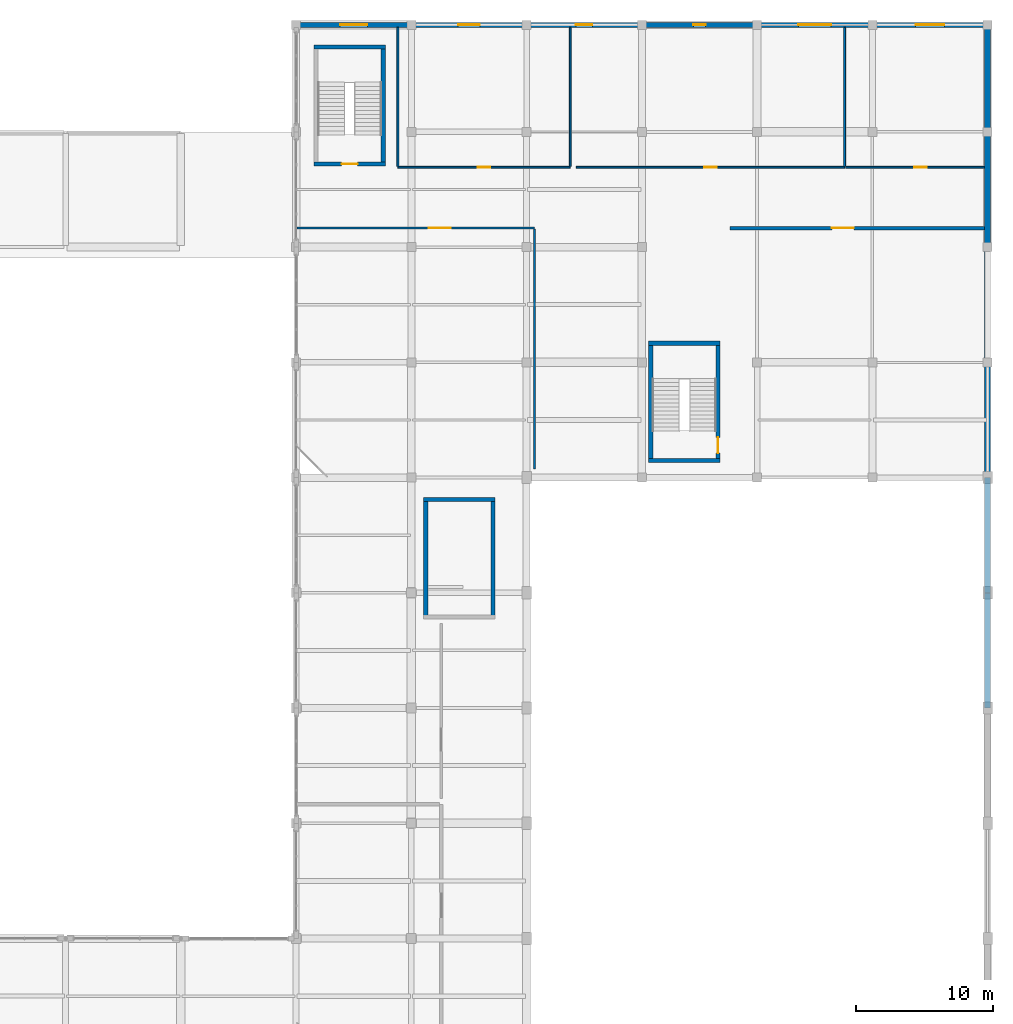
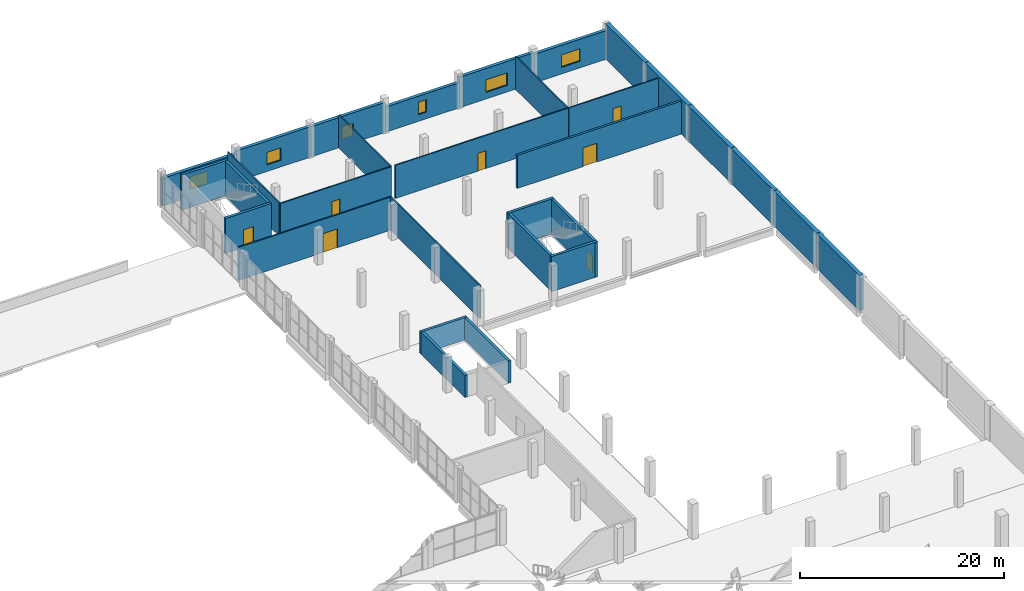
# One storey, part 54 of 59: 31 walls, 7 doors, 6 windows, 13 openings.
"""IFC4 building model written with IfcOpenShell, lengths in metres."""

from ifc_helpers import new_model, si_unit, derived_unit, direction, frame, frame_2d, origin, place, context, subcontext, project, spatial, rectangle, extrude, material, layer, layer_set, type_object, element, fill, save


model = new_model("IFC4")

# Units and contexts
model_context = context("Model", 3, precision=1e-05, world=origin(), true_north=direction((0.0, 1.0)))
body_context = subcontext(model_context, "Body", "Model", "MODEL_VIEW")
ifc_project = project(units=[si_unit("LENGTHUNIT", "METRE"), si_unit("AREAUNIT", "SQUARE_METRE"), si_unit("VOLUMEUNIT", "CUBIC_METRE"), si_unit("PLANEANGLEUNIT", "RADIAN"), si_unit("MASSUNIT", "GRAM", prefix="KILO"), derived_unit("THERMALTRANSMITTANCEUNIT", [(si_unit("POWERUNIT", "WATT"), 1), (si_unit("LENGTHUNIT", "METRE"), -2), (si_unit("THERMODYNAMICTEMPERATUREUNIT", "KELVIN"), -1)])], contexts=[model_context])

# Site, building, storey
site_placement = place(None, origin())
site = spatial("IfcSite", under=ifc_project, at=site_placement, CompositionType="ELEMENT")
building_placement = place(site_placement, origin())
building = spatial("IfcBuilding", under=site, at=building_placement, Name="Barrovel Congress Hotel", CompositionType="ELEMENT")
storey_placement = place(building_placement, frame((0.0, 0.0, 9.89990234375)))
storey = spatial("IfcBuildingStorey", under=building, at=storey_placement, Name="L02", CompositionType="ELEMENT", Elevation=9.89990234375)

# Wall, opening, window
ifc_material_1 = material(Name="Fired Clay Brick Masonry", Category="masonry")
ifc_layer_1 = layer(ifc_material_1, 0.360107421875)
ifc_layer_set_1 = layer_set([ifc_layer_1], Name="Fired Clay Brick Masonry")
wall_type_1 = type_object("IfcWallType", Name="EW-BRK360", PredefinedType="STANDARD", material=ifc_layer_set_1)
wall_1_placement = place(storey_placement, frame((176.39990234375, 112.800048828125, 0.0), z_axis=(0.0, 0.0, 1.0), x_axis=(-1.0, 0.0, 0.0)))
wall_1 = element("IfcWall", 1, at=wall_1_placement, inside=storey, type_object=wall_type_1, Name="EW:L02:V3N:20", PredefinedType="STANDARD", context=body_context, shape_type="SweptSolid", body=[
    extrude(rectangle(XDim=8.39990234375, YDim=0.360107421875, at=frame_2d((4.199951171875, 0.0))), origin(), (0.0, 0.0, 1.0), 3.427001953125),
])
opening_1_placement = place(wall_1_placement, frame((3.14990234375, 0.0, 0.800048828125)))
opening_1 = element("IfcOpeningElement", 2, at=opening_1_placement, cuts=wall_1, Name="Opening WN-09", PredefinedType="OPENING", context=body_context, shape_type="SweptSolid", body=[
    extrude(rectangle(XDim=2.10009765625, YDim=1.5, at=frame_2d((1.050048828125, 0.75))), frame((0.0, 0.18994140625, 0.0), z_axis=(0.0, -1.0, 0.0), x_axis=(1.0, 0.0, 0.0)), (0.0, 0.0, 1.0), 0.380126953125),
])
ifc_material_2 = material(Name="Double Low-E Insulated Glazing", Category="glass")
window_type_1 = type_object("IfcWindowType", Name="WIN-WN-09", PartitioningType="SINGLE_PANEL", PredefinedType="WINDOW", material=ifc_material_2)
window_1_placement = place(opening_1_placement, origin())
window_1 = element("IfcWindow", 3, at=window_1_placement, inside=storey, type_object=window_type_1, Name="WIN:L02:V3N:20", OverallHeight=1.5, OverallWidth=2.10009765625, PartitioningType="SINGLE_PANEL", PredefinedType="WINDOW", context=body_context, shape_type="SweptSolid", body=[
    extrude(rectangle(XDim=2.10009765625, YDim=1.5, at=frame_2d((1.050048828125, 0.75))), frame((0.0, 0.030029296875, 0.0), z_axis=(0.0, -1.0, 0.0), x_axis=(1.0, 0.0, 0.0)), (0.0, 0.0, 1.0), 0.06005859375),
])
fill(opening_1, window_1)

wall_2_placement = place(storey_placement, frame((168.0, 112.800048828125, 0.0), z_axis=(0.0, 0.0, 1.0), x_axis=(-1.0, 0.0, 0.0)))
wall_2 = element("IfcWall", 4, at=wall_2_placement, inside=storey, type_object=wall_type_1, Name="EW:L02:V3N:19", PredefinedType="STANDARD", context=body_context, shape_type="SweptSolid", body=[
    extrude(rectangle(XDim=8.39990234375, YDim=0.360107421875, at=frame_2d((4.199951171875, 0.0))), origin(), (0.0, 0.0, 1.0), 3.650146484375),
])
opening_2_placement = place(wall_2_placement, frame((3.0, 0.0, 0.800048828125)))
opening_2 = element("IfcOpeningElement", 5, at=opening_2_placement, cuts=wall_2, Name="Opening WN-10", PredefinedType="OPENING", context=body_context, shape_type="SweptSolid", body=[
    extrude(rectangle(XDim=2.39990234375, YDim=1.5, at=frame_2d((1.199951171875, 0.75))), frame((0.0, 0.18994140625, 0.0), z_axis=(0.0, -1.0, 0.0), x_axis=(1.0, 0.0, 0.0)), (0.0, 0.0, 1.0), 0.380126953125),
])
window_type_2 = type_object("IfcWindowType", Name="WIN-WN-10", PartitioningType="SINGLE_PANEL", PredefinedType="WINDOW", material=ifc_material_2)
window_2_placement = place(opening_2_placement, origin())
window_2 = element("IfcWindow", 6, at=window_2_placement, inside=storey, type_object=window_type_2, Name="WIN:L02:V3N:19", OverallHeight=1.5, OverallWidth=2.39990234375, PartitioningType="SINGLE_PANEL", PredefinedType="WINDOW", context=body_context, shape_type="SweptSolid", body=[
    extrude(rectangle(XDim=2.39990234375, YDim=1.5, at=frame_2d((1.199951171875, 0.75))), frame((0.0, 0.030029296875, 0.0), z_axis=(0.0, -1.0, 0.0), x_axis=(1.0, 0.0, 0.0)), (0.0, 0.0, 1.0), 0.06005859375),
])
fill(opening_2, window_2)

wall_3_placement = place(storey_placement, frame((159.60009765625, 112.800048828125, 0.0), z_axis=(0.0, 0.0, 1.0), x_axis=(-1.0, 0.0, 0.0)))
wall_3 = element("IfcWall", 7, at=wall_3_placement, inside=storey, type_object=wall_type_1, Name="EW:L02:V3N:18", PredefinedType="STANDARD", context=body_context, shape_type="SweptSolid", body=[
    extrude(rectangle(XDim=8.400146484375, YDim=0.360107421875, at=frame_2d((4.2001953125, 0.0))), origin(), (0.0, 0.0, 1.0), 3.010009765625),
])
opening_3_placement = place(wall_3_placement, frame((3.75, 0.0, 0.800048828125)))
opening_3 = element("IfcOpeningElement", 8, at=opening_3_placement, cuts=wall_3, Name="Opening WN-11", PredefinedType="OPENING", context=body_context, shape_type="SweptSolid", body=[
    extrude(rectangle(XDim=0.89990234375, YDim=1.5, at=frame_2d((0.449951171875, 0.75))), frame((0.0, 0.18994140625, 0.0), z_axis=(0.0, -1.0, 0.0), x_axis=(1.0, 0.0, 0.0)), (0.0, 0.0, 1.0), 0.380126953125),
])
window_type_3 = type_object("IfcWindowType", Name="WIN-WN-11", PartitioningType="SINGLE_PANEL", PredefinedType="WINDOW", material=ifc_material_2)
window_3_placement = place(opening_3_placement, origin())
window_3 = element("IfcWindow", 9, at=window_3_placement, inside=storey, type_object=window_type_3, Name="WIN:L02:V3N:18", OverallHeight=1.5, OverallWidth=0.89990234375, PartitioningType="SINGLE_PANEL", PredefinedType="WINDOW", context=body_context, shape_type="SweptSolid", body=[
    extrude(rectangle(XDim=0.89990234375, YDim=1.5, at=frame_2d((0.449951171875, 0.75))), frame((0.0, 0.030029296875, 0.0), z_axis=(0.0, -1.0, 0.0), x_axis=(1.0, 0.0, 0.0)), (0.0, 0.0, 1.0), 0.06005859375),
])
fill(opening_3, window_3)

wall_4_placement = place(storey_placement, frame((151.199951171875, 112.800048828125, 0.0), z_axis=(0.0, 0.0, 1.0), x_axis=(-1.0, 0.0, 0.0)))
wall_4 = element("IfcWall", 10, at=wall_4_placement, inside=storey, type_object=wall_type_1, Name="EW:L02:V3N:17", PredefinedType="STANDARD", context=body_context, shape_type="SweptSolid", body=[
    extrude(rectangle(XDim=8.39990234375, YDim=0.360107421875, at=frame_2d((4.199951171875, 0.0))), origin(), (0.0, 0.0, 1.0), 3.606201171875),
])
opening_4_placement = place(wall_4_placement, frame((3.60009765625, 0.0, 0.800048828125)))
opening_4 = element("IfcOpeningElement", 11, at=opening_4_placement, cuts=wall_4, Name="Opening WN-12", PredefinedType="OPENING", context=body_context, shape_type="SweptSolid", body=[
    extrude(rectangle(XDim=1.199951171875, YDim=1.5, at=frame_2d((0.60009765625, 0.75))), frame((0.0, 0.18994140625, 0.0), z_axis=(0.0, -1.0, 0.0), x_axis=(1.0, 0.0, 0.0)), (0.0, 0.0, 1.0), 0.380126953125),
])
window_type_4 = type_object("IfcWindowType", Name="WIN-WN-12", PartitioningType="SINGLE_PANEL", PredefinedType="WINDOW", material=ifc_material_2)
window_4_placement = place(opening_4_placement, origin())
window_4 = element("IfcWindow", 12, at=window_4_placement, inside=storey, type_object=window_type_4, Name="WIN:L02:V3N:17", OverallHeight=1.5, OverallWidth=1.199951171875, PartitioningType="SINGLE_PANEL", PredefinedType="WINDOW", context=body_context, shape_type="SweptSolid", body=[
    extrude(rectangle(XDim=1.199951171875, YDim=1.5, at=frame_2d((0.60009765625, 0.75))), frame((0.0, 0.030029296875, 0.0), z_axis=(0.0, -1.0, 0.0), x_axis=(1.0, 0.0, 0.0)), (0.0, 0.0, 1.0), 0.06005859375),
])
fill(opening_4, window_4)

wall_5_placement = place(storey_placement, frame((142.800048828125, 112.800048828125, 0.0), z_axis=(0.0, 0.0, 1.0), x_axis=(-1.0, 0.0, 0.0)))
wall_5 = element("IfcWall", 13, at=wall_5_placement, inside=storey, type_object=wall_type_1, Name="EW:L02:V3N:16", PredefinedType="STANDARD", context=body_context, shape_type="SweptSolid", body=[
    extrude(rectangle(XDim=8.400146484375, YDim=0.360107421875, at=frame_2d((4.2001953125, 0.0))), origin(), (0.0, 0.0, 1.0), 3.6552734375),
])
opening_5_placement = place(wall_5_placement, frame((3.39990234375, 0.0, 0.800048828125)))
opening_5 = element("IfcOpeningElement", 14, at=opening_5_placement, cuts=wall_5, Name="Opening WN-13", PredefinedType="OPENING", context=body_context, shape_type="SweptSolid", body=[
    extrude(rectangle(XDim=1.60009765625, YDim=1.5, at=frame_2d((0.800048828125, 0.75))), frame((0.0, 0.18994140625, 0.0), z_axis=(0.0, -1.0, 0.0), x_axis=(1.0, 0.0, 0.0)), (0.0, 0.0, 1.0), 0.380126953125),
])
window_type_5 = type_object("IfcWindowType", Name="WIN-WN-13", PartitioningType="SINGLE_PANEL", PredefinedType="WINDOW", material=ifc_material_2)
window_5_placement = place(opening_5_placement, origin())
window_5 = element("IfcWindow", 15, at=window_5_placement, inside=storey, type_object=window_type_5, Name="WIN:L02:V3N:16", OverallHeight=1.5, OverallWidth=1.60009765625, PartitioningType="SINGLE_PANEL", PredefinedType="WINDOW", context=body_context, shape_type="SweptSolid", body=[
    extrude(rectangle(XDim=1.60009765625, YDim=1.5, at=frame_2d((0.800048828125, 0.75))), frame((0.0, 0.030029296875, 0.0), z_axis=(0.0, -1.0, 0.0), x_axis=(1.0, 0.0, 0.0)), (0.0, 0.0, 1.0), 0.06005859375),
])
fill(opening_5, window_5)

wall_6_placement = place(storey_placement, frame((134.39990234375, 112.800048828125, 0.0), z_axis=(0.0, 0.0, 1.0), x_axis=(-1.0, 0.0, 0.0)))
wall_6 = element("IfcWall", 16, at=wall_6_placement, inside=storey, type_object=wall_type_1, Name="EW:L02:V3N:15", PredefinedType="STANDARD", context=body_context, shape_type="SweptSolid", body=[
    extrude(rectangle(XDim=8.39990234375, YDim=0.360107421875, at=frame_2d((4.199951171875, 0.0))), origin(), (0.0, 0.0, 1.0), 3.31005859375),
])
opening_6_placement = place(wall_6_placement, frame((3.199951171875, 0.0, 0.800048828125)))
opening_6 = element("IfcOpeningElement", 17, at=opening_6_placement, cuts=wall_6, Name="Opening WN-14", PredefinedType="OPENING", context=body_context, shape_type="SweptSolid", body=[
    extrude(rectangle(XDim=2.0, YDim=1.5, at=frame_2d((1.0, 0.75))), frame((0.0, 0.18994140625, 0.0), z_axis=(0.0, -1.0, 0.0), x_axis=(1.0, 0.0, 0.0)), (0.0, 0.0, 1.0), 0.380126953125),
])
window_type_6 = type_object("IfcWindowType", Name="WIN-WN-14", PartitioningType="SINGLE_PANEL", PredefinedType="WINDOW", material=ifc_material_2)
window_6_placement = place(opening_6_placement, origin())
window_6 = element("IfcWindow", 18, at=window_6_placement, inside=storey, type_object=window_type_6, Name="WIN:L02:V3N:15", OverallHeight=1.5, OverallWidth=2.0, PartitioningType="SINGLE_PANEL", PredefinedType="WINDOW", context=body_context, shape_type="SweptSolid", body=[
    extrude(rectangle(XDim=2.0, YDim=1.5, at=frame_2d((1.0, 0.75))), frame((0.0, 0.030029296875, 0.0), z_axis=(0.0, -1.0, 0.0), x_axis=(1.0, 0.0, 0.0)), (0.0, 0.0, 1.0), 0.06005859375),
])
fill(opening_6, window_6)

# Walls
ifc_layer_2 = layer(ifc_material_1, 0.449951171875)
ifc_layer_set_2 = layer_set([ifc_layer_2], Name="Fired Clay Brick Masonry")
wall_type_2 = type_object("IfcWallType", Name="EW-PW450", PredefinedType="STANDARD", material=ifc_layer_set_2)
wall_7_placement = place(storey_placement, frame((176.39990234375, 63.0, 0.0), z_axis=(0.0, 0.0, 1.0), x_axis=(0.0, 1.0, 0.0)))
element("IfcWall", 19, at=wall_7_placement, inside=storey, type_object=wall_type_2, Name="EW:L02:PARTY:63.0", PredefinedType="STANDARD", context=body_context, shape_type="SweptSolid", body=[
    extrude(rectangle(XDim=8.39990234375, YDim=0.449951171875, at=frame_2d((4.199951171875, 0.0))), origin(), (0.0, 0.0, 1.0), 4.2001953125),
])
wall_8_placement = place(storey_placement, frame((176.39990234375, 71.39990234375, 0.0), z_axis=(0.0, 0.0, 1.0), x_axis=(0.0, 1.0, 0.0)))
element("IfcWall", 20, at=wall_8_placement, inside=storey, type_object=wall_type_2, Name="EW:L02:PARTY:71.4", PredefinedType="STANDARD", context=body_context, shape_type="SweptSolid", body=[
    extrude(rectangle(XDim=8.400146484375, YDim=0.449951171875, at=frame_2d((4.2001953125, 0.0))), origin(), (0.0, 0.0, 1.0), 4.2001953125),
])
wall_9_placement = place(storey_placement, frame((176.39990234375, 79.800048828125, 0.0), z_axis=(0.0, 0.0, 1.0), x_axis=(0.0, 1.0, 0.0)))
element("IfcWall", 21, at=wall_9_placement, inside=storey, type_object=wall_type_2, Name="EW:L02:PARTY:79.8", PredefinedType="STANDARD", context=body_context, shape_type="SweptSolid", body=[
    extrude(rectangle(XDim=8.39990234375, YDim=0.449951171875, at=frame_2d((4.199951171875, 0.0))), origin(), (0.0, 0.0, 1.0), 4.2001953125),
])
wall_10_placement = place(storey_placement, frame((176.39990234375, 88.199951171875, 0.0), z_axis=(0.0, 0.0, 1.0), x_axis=(0.0, 1.0, 0.0)))
element("IfcWall", 22, at=wall_10_placement, inside=storey, type_object=wall_type_2, Name="EW:L02:PARTY:88.2", PredefinedType="STANDARD", context=body_context, shape_type="SweptSolid", body=[
    extrude(rectangle(XDim=8.400146484375, YDim=0.449951171875, at=frame_2d((4.2001953125, 0.0))), origin(), (0.0, 0.0, 1.0), 4.2001953125),
])
wall_11_placement = place(storey_placement, frame((176.39990234375, 96.60009765625, 0.0), z_axis=(0.0, 0.0, 1.0), x_axis=(0.0, 1.0, 0.0)))
element("IfcWall", 23, at=wall_11_placement, inside=storey, type_object=wall_type_2, Name="EW:L02:PARTY:96.6", PredefinedType="STANDARD", context=body_context, shape_type="SweptSolid", body=[
    extrude(rectangle(XDim=8.39990234375, YDim=0.449951171875, at=frame_2d((4.199951171875, 0.0))), origin(), (0.0, 0.0, 1.0), 4.2001953125),
])
wall_12_placement = place(storey_placement, frame((176.39990234375, 105.0, 0.0), z_axis=(0.0, 0.0, 1.0), x_axis=(0.0, 1.0, 0.0)))
element("IfcWall", 24, at=wall_12_placement, inside=storey, type_object=wall_type_2, Name="EW:L02:PARTY:105.0", PredefinedType="STANDARD", context=body_context, shape_type="SweptSolid", body=[
    extrude(rectangle(XDim=7.800048828125, YDim=0.449951171875, at=frame_2d((3.89990234375, 0.0))), origin(), (0.0, 0.0, 1.0), 4.2001953125),
])

# Wall, opening, door
ifc_layer_3 = layer(ifc_material_1, 0.239990234375)
ifc_layer_set_3 = layer_set([ifc_layer_3], Name="Fired Clay Brick Masonry")
wall_type_3 = type_object("IfcWallType", Name="PW-MAS-240", PredefinedType="PARTITIONING", material=ifc_layer_set_3)
wall_13_placement = place(storey_placement, frame((157.6201171875, 97.97998046875, 0.0), z_axis=(0.0, 0.0, 1.0), x_axis=(1.0, 0.0, 0.0)))
wall_13 = element("IfcWall", 25, at=wall_13_placement, inside=storey, type_object=wall_type_3, Name="RW:SP:L02:YOGA:N", PredefinedType="PARTITIONING", context=body_context, shape_type="SweptSolid", body=[
    extrude(rectangle(XDim=18.554931640625, YDim=0.239990234375, at=frame_2d((9.27734375, 0.0))), origin(), (0.0, 0.0, 1.0), 3.955078125),
])
opening_7_placement = place(wall_13_placement, frame((7.427490234375, 0.0, 0.0)))
opening_7 = element("IfcOpeningElement", 26, at=opening_7_placement, cuts=wall_13, Name="Opening ID-MTG", PredefinedType="OPENING", context=body_context, shape_type="SweptSolid", body=[
    extrude(rectangle(XDim=1.60009765625, YDim=2.25, at=frame_2d((0.800048828125, 1.125))), frame((0.0, 0.1298828125, 0.0), z_axis=(0.0, -1.0, 0.0), x_axis=(1.0, 0.0, 0.0)), (0.0, 0.0, 1.0), 0.260009765625),
])
ifc_material_3 = material(Name="Solid Oak Acoustic Timber Door", Category="wood")
door_type_1 = type_object("IfcDoorType", Name="IDR-ID-MTG", OperationType="NOTDEFINED", PredefinedType="DOOR", material=ifc_material_3)
door_1_placement = place(opening_7_placement, origin())
door_1 = element("IfcDoor", 27, at=door_1_placement, inside=storey, type_object=door_type_1, Name="RD:SP:L02:YOGA", OperationType="DOUBLE_DOOR_SINGLE_SWING", OverallHeight=2.25, OverallWidth=1.60009765625, PredefinedType="DOOR", context=body_context, shape_type="SweptSolid", body=[
    extrude(rectangle(XDim=1.60009765625, YDim=2.25, at=frame_2d((0.800048828125, 1.125))), frame((0.0, 0.02490234375, 0.0), z_axis=(0.0, -1.0, 0.0), x_axis=(1.0, 0.0, 0.0)), (0.0, 0.0, 1.0), 0.050048828125),
])
fill(opening_7, door_1)

ifc_material_4 = material(Name="Gypsum Acoustic Stud", Category="gypsum")
ifc_layer_4 = layer(ifc_material_4, 0.14990234375)
ifc_layer_set_4 = layer_set([ifc_layer_4], Name="Gypsum Acoustic Stud")
wall_type_4 = type_object("IfcWallType", Name="PW-STD-150", PredefinedType="PARTITIONING", material=ifc_layer_set_4)
wall_14_placement = place(storey_placement, frame((126.080078125, 97.97998046875, 0.0), z_axis=(0.0, 0.0, 1.0), x_axis=(1.0, 0.0, 0.0)))
wall_14 = element("IfcWall", 28, at=wall_14_placement, inside=storey, type_object=wall_type_4, Name="RW:SP:L02:FIT:N", PredefinedType="PARTITIONING", context=body_context, shape_type="SweptSolid", body=[
    extrude(rectangle(XDim=17.2998046875, YDim=0.14990234375, at=frame_2d((8.64990234375, 0.0))), origin(), (0.0, 0.0, 1.0), 3.955078125),
])
opening_8_placement = place(wall_14_placement, frame((9.60009765625, 0.0, 0.0)))
opening_8 = element("IfcOpeningElement", 29, at=opening_8_placement, cuts=wall_14, Name="Opening ID-MTG", PredefinedType="OPENING", context=body_context, shape_type="SweptSolid", body=[
    extrude(rectangle(XDim=1.60009765625, YDim=2.25, at=frame_2d((0.800048828125, 1.125))), frame((0.0, 0.0849609375, 0.0), z_axis=(0.0, -1.0, 0.0), x_axis=(1.0, 0.0, 0.0)), (0.0, 0.0, 1.0), 0.169921875),
])
door_2_placement = place(opening_8_placement, origin())
door_2 = element("IfcDoor", 30, at=door_2_placement, inside=storey, type_object=door_type_1, Name="RD:SP:L02:FIT", OperationType="DOUBLE_DOOR_SINGLE_SWING", OverallHeight=2.25, OverallWidth=1.60009765625, PredefinedType="DOOR", context=body_context, shape_type="SweptSolid", body=[
    extrude(rectangle(XDim=1.60009765625, YDim=2.25, at=frame_2d((0.800048828125, 1.125))), frame((0.0, 0.02490234375, 0.0), z_axis=(0.0, -1.0, 0.0), x_axis=(1.0, 0.0, 0.0)), (0.0, 0.0, 1.0), 0.050048828125),
])
fill(opening_8, door_2)

# Wall
wall_15_placement = place(storey_placement, frame((143.3798828125, 80.419921875, 0.0), z_axis=(0.0, 0.0, 1.0), x_axis=(0.0, 1.0, 0.0)))
element("IfcWall", 31, at=wall_15_placement, inside=storey, type_object=wall_type_4, Name="RW:SP:L02:FIT:E", PredefinedType="PARTITIONING", context=body_context, shape_type="SweptSolid", body=[
    extrude(rectangle(XDim=17.485107421875, YDim=0.14990234375, at=frame_2d((8.74267578125, 0.0))), origin(), (0.0, 0.0, 1.0), 3.955078125),
])

# Wall, opening, door
ifc_material_5 = material(Name="Gypsum Moisture Board", Category="gypsum")
ifc_layer_5 = layer(ifc_material_5, 0.139892578125)
ifc_layer_set_5 = layer_set([ifc_layer_5], Name="Gypsum Moisture Board")
wall_type_5 = type_object("IfcWallType", Name="PW-WET-140", PredefinedType="PARTITIONING", material=ifc_layer_set_5)
wall_16_placement = place(storey_placement, frame((133.419921875, 102.419921875, 0.0), z_axis=(0.0, 0.0, 1.0), x_axis=(1.0, 0.0, 0.0)))
wall_16 = element("IfcWall", 32, at=wall_16_placement, inside=storey, type_object=wall_type_5, Name="RW:SP:L02:CHG-M:S", PredefinedType="PARTITIONING", context=body_context, shape_type="SweptSolid", body=[
    extrude(rectangle(XDim=12.56005859375, YDim=0.139892578125, at=frame_2d((6.280029296875, 0.0))), origin(), (0.0, 0.0, 1.0), 3.955078125),
])
opening_9_placement = place(wall_16_placement, frame((5.830078125, 0.0, 0.0)))
opening_9 = element("IfcOpeningElement", 33, at=opening_9_placement, cuts=wall_16, Name="Opening ID-WC1", PredefinedType="OPENING", context=body_context, shape_type="SweptSolid", body=[
    extrude(rectangle(XDim=0.89990234375, YDim=2.1201171875, at=frame_2d((0.449951171875, 1.06005859375))), frame((0.0, 0.080078125, 0.0), z_axis=(0.0, -1.0, 0.0), x_axis=(1.0, 0.0, 0.0)), (0.0, 0.0, 1.0), 0.159912109375),
])
ifc_material_6 = material(Name="Lacquered Timber Moisture Door", Category="wood")
door_type_2 = type_object("IfcDoorType", Name="IDR-ID-WC1", OperationType="NOTDEFINED", PredefinedType="DOOR", material=ifc_material_6)
door_3_placement = place(opening_9_placement, origin())
door_3 = element("IfcDoor", 34, at=door_3_placement, inside=storey, type_object=door_type_2, Name="RD:SP:L02:CHG-M", OperationType="SINGLE_SWING_RIGHT", OverallHeight=2.1201171875, OverallWidth=0.89990234375, PredefinedType="DOOR", context=body_context, shape_type="SweptSolid", body=[
    extrude(rectangle(XDim=0.89990234375, YDim=2.1201171875, at=frame_2d((0.449951171875, 1.06005859375))), frame((0.0, 0.02490234375, 0.0), z_axis=(0.0, -1.0, 0.0), x_axis=(1.0, 0.0, 0.0)), (0.0, 0.0, 1.0), 0.050048828125),
])
fill(opening_9, door_3)

# Walls
for number, where, z_axis, x_axis, name in (
    (35, (133.419921875, 102.489990234375, 0.0), (0.0, 0.0, 1.0), (0.0, 1.0, 0.0), "RW:SP:L02:CHG-M:W"),
    (36, (145.97998046875, 102.489990234375, 0.0), (0.0, 0.0, 1.0), (0.0, 1.0, 0.0), "RW:SP:L02:CHG-M:E"),
):
    element("IfcWall", number, at=place(storey_placement, frame(where, z_axis=z_axis, x_axis=x_axis)), inside=storey, type_object=wall_type_5, Name=name, PredefinedType="PARTITIONING", context=body_context, shape_type="SweptSolid", body=[
        extrude(rectangle(XDim=10.130126953125, YDim=0.139892578125, at=frame_2d((5.06494140625, 0.0))), origin(), (0.0, 0.0, 1.0), 3.955078125),
    ])

# Wall, opening, door
wall_17_placement = place(storey_placement, frame((146.419921875, 102.419921875, 0.0), z_axis=(0.0, 0.0, 1.0), x_axis=(1.0, 0.0, 0.0)))
wall_17 = element("IfcWall", 37, at=wall_17_placement, inside=storey, type_object=wall_type_5, Name="RW:SP:L02:CHG-F:S", PredefinedType="PARTITIONING", context=body_context, shape_type="SweptSolid", body=[
    extrude(rectangle(XDim=19.56005859375, YDim=0.139892578125, at=frame_2d((9.780029296875, 0.0))), origin(), (0.0, 0.0, 1.0), 3.955078125),
])
opening_10_placement = place(wall_17_placement, frame((9.330078125, 0.0, 0.0)))
opening_10 = element("IfcOpeningElement", 38, at=opening_10_placement, cuts=wall_17, Name="Opening ID-WC1", PredefinedType="OPENING", context=body_context, shape_type="SweptSolid", body=[
    extrude(rectangle(XDim=0.89990234375, YDim=2.1201171875, at=frame_2d((0.449951171875, 1.06005859375))), frame((0.0, 0.080078125, 0.0), z_axis=(0.0, -1.0, 0.0), x_axis=(1.0, 0.0, 0.0)), (0.0, 0.0, 1.0), 0.159912109375),
])
door_4_placement = place(opening_10_placement, origin())
door_4 = element("IfcDoor", 39, at=door_4_placement, inside=storey, type_object=door_type_2, Name="RD:SP:L02:CHG-F", OperationType="SINGLE_SWING_LEFT", OverallHeight=2.1201171875, OverallWidth=0.89990234375, PredefinedType="DOOR", context=body_context, shape_type="SweptSolid", body=[
    extrude(rectangle(XDim=0.89990234375, YDim=2.1201171875, at=frame_2d((0.449951171875, 1.06005859375))), frame((0.0, 0.02490234375, 0.0), z_axis=(0.0, -1.0, 0.0), x_axis=(1.0, 0.0, 0.0)), (0.0, 0.0, 1.0), 0.050048828125),
])
fill(opening_10, door_4)

# Wall
wall_18_placement = place(storey_placement, frame((165.97998046875, 102.489990234375, 0.0), z_axis=(0.0, 0.0, 1.0), x_axis=(0.0, 1.0, 0.0)))
element("IfcWall", 40, at=wall_18_placement, inside=storey, type_object=wall_type_5, Name="RW:SP:L02:CHG-F:E", PredefinedType="PARTITIONING", context=body_context, shape_type="SweptSolid", body=[
    extrude(rectangle(XDim=10.130126953125, YDim=0.139892578125, at=frame_2d((5.06494140625, 0.0))), origin(), (0.0, 0.0, 1.0), 3.955078125),
])

# Wall, opening, door
wall_19_placement = place(storey_placement, frame((166.050048828125, 102.419921875, 0.0), z_axis=(0.0, 0.0, 1.0), x_axis=(1.0, 0.0, 0.0)))
wall_19 = element("IfcWall", 41, at=wall_19_placement, inside=storey, type_object=wall_type_5, Name="RW:SP:L02:CHG-A:S", PredefinedType="PARTITIONING", context=body_context, shape_type="SweptSolid", body=[
    extrude(rectangle(XDim=10.125, YDim=0.139892578125, at=frame_2d((5.0625, 0.0))), origin(), (0.0, 0.0, 1.0), 3.955078125),
])
opening_11_placement = place(wall_19_placement, frame((5.0, 0.0, 0.0)))
opening_11 = element("IfcOpeningElement", 42, at=opening_11_placement, cuts=wall_19, Name="Opening ID-WC1", PredefinedType="OPENING", context=body_context, shape_type="SweptSolid", body=[
    extrude(rectangle(XDim=0.89990234375, YDim=2.1201171875, at=frame_2d((0.449951171875, 1.06005859375))), frame((0.0, 0.080078125, 0.0), z_axis=(0.0, -1.0, 0.0), x_axis=(1.0, 0.0, 0.0)), (0.0, 0.0, 1.0), 0.159912109375),
])
door_5_placement = place(opening_11_placement, origin())
door_5 = element("IfcDoor", 43, at=door_5_placement, inside=storey, type_object=door_type_2, Name="RD:SP:L02:CHG-A", OperationType="SINGLE_SWING_RIGHT", OverallHeight=2.1201171875, OverallWidth=0.89990234375, PredefinedType="DOOR", context=body_context, shape_type="SweptSolid", body=[
    extrude(rectangle(XDim=0.89990234375, YDim=2.1201171875, at=frame_2d((0.449951171875, 1.06005859375))), frame((0.0, 0.02490234375, 0.0), z_axis=(0.0, -1.0, 0.0), x_axis=(1.0, 0.0, 0.0)), (0.0, 0.0, 1.0), 0.050048828125),
])
fill(opening_11, door_5)

# Wall
ifc_material_7 = material(Name="Concrete C40", Category="concrete")
ifc_layer_6 = layer(ifc_material_7, 0.300048828125)
ifc_layer_set_6 = layer_set([ifc_layer_6], Name="Concrete C40")
wall_type_6 = type_object("IfcWallType", Name="SW-C40-300", PredefinedType="SHEAR", material=ifc_layer_set_6)
wall_20_placement = place(storey_placement, frame((151.699951171875, 81.050048828125, 0.0), z_axis=(0.0, 0.0, 1.0), x_axis=(1.0, 0.0, 0.0)))
element("IfcWall", 44, at=wall_20_placement, inside=storey, type_object=wall_type_6, Name="SHW:XS-06:L02:S", PredefinedType="SHEAR", context=body_context, shape_type="SweptSolid", body=[
    extrude(rectangle(XDim=5.199951171875, YDim=0.300048828125, at=frame_2d((2.60009765625, 0.0))), origin(), (0.0, 0.0, 1.0), 4.2001953125),
])

# Wall, opening, door
wall_21_placement = place(storey_placement, frame((156.75, 80.89990234375, 0.0), z_axis=(0.0, 0.0, 1.0), x_axis=(0.0, 1.0, 0.0)))
wall_21 = element("IfcWall", 45, at=wall_21_placement, inside=storey, type_object=wall_type_6, Name="SHW:XS-06:L02:E", PredefinedType="SHEAR", context=body_context, shape_type="SweptSolid", body=[
    extrude(rectangle(XDim=8.840087890625, YDim=0.300048828125, at=frame_2d((4.419921875, 0.0))), origin(), (0.0, 0.0, 1.0), 4.2001953125),
])
opening_12_placement = place(wall_21_placement, frame((0.675048828125, 0.0, 0.0)))
opening_12 = element("IfcOpeningElement", 46, at=opening_12_placement, cuts=wall_21, Name="Opening ID-ST1", PredefinedType="OPENING", context=body_context, shape_type="SweptSolid", body=[
    extrude(rectangle(XDim=1.14990234375, YDim=2.14990234375, at=frame_2d((0.574951171875, 1.074951171875))), frame((0.0, 0.16015625, 0.0), z_axis=(0.0, -1.0, 0.0), x_axis=(1.0, 0.0, 0.0)), (0.0, 0.0, 1.0), 0.320068359375),
])
ifc_material_8 = material(Name="Painted Hollow-Metal Steel Door", Category="steel")
door_type_3 = type_object("IfcDoorType", Name="IDR-ID-ST1", OperationType="NOTDEFINED", PredefinedType="DOOR", material=ifc_material_8)
door_6_placement = place(opening_12_placement, origin())
door_6 = element("IfcDoor", 47, at=door_6_placement, inside=storey, type_object=door_type_3, Name="Stair Core Fire Door XS-06-L02", OperationType="SINGLE_SWING_LEFT", OverallHeight=2.14990234375, OverallWidth=1.14990234375, PredefinedType="DOOR", context=body_context, shape_type="SweptSolid", body=[
    extrude(rectangle(XDim=1.14990234375, YDim=2.14990234375, at=frame_2d((0.574951171875, 1.074951171875))), frame((0.0, 0.02490234375, 0.0), z_axis=(0.0, -1.0, 0.0), x_axis=(1.0, 0.0, 0.0)), (0.0, 0.0, 1.0), 0.050048828125),
])
fill(opening_12, door_6)

# Walls
wall_22_placement = place(storey_placement, frame((156.89990234375, 89.590087890625, 0.0), z_axis=(0.0, 0.0, 1.0), x_axis=(-1.0, 0.0, 0.0)))
element("IfcWall", 48, at=wall_22_placement, inside=storey, type_object=wall_type_6, Name="SHW:XS-06:L02:N", PredefinedType="SHEAR", context=body_context, shape_type="SweptSolid", body=[
    extrude(rectangle(XDim=5.199951171875, YDim=0.300048828125, at=frame_2d((2.60009765625, 0.0))), origin(), (0.0, 0.0, 1.0), 4.2001953125),
])
wall_23_placement = place(storey_placement, frame((151.85009765625, 89.739990234375, 0.0), z_axis=(0.0, 0.0, 1.0), x_axis=(0.0, -1.0, 0.0)))
element("IfcWall", 49, at=wall_23_placement, inside=storey, type_object=wall_type_6, Name="SHW:XS-06:L02:W", PredefinedType="SHEAR", context=body_context, shape_type="SweptSolid", body=[
    extrude(rectangle(XDim=8.840087890625, YDim=0.300048828125, at=frame_2d((4.419921875, 0.0))), origin(), (0.0, 0.0, 1.0), 4.2001953125),
])
wall_24_placement = place(storey_placement, frame((140.35009765625, 69.5, 0.0), z_axis=(0.0, 0.0, 1.0), x_axis=(0.0, 1.0, 0.0)))
element("IfcWall", 50, at=wall_24_placement, inside=storey, type_object=wall_type_6, Name="SHW:XS-09:L02:E", PredefinedType="SHEAR", context=body_context, shape_type="SweptSolid", body=[
    extrude(rectangle(XDim=8.840087890625, YDim=0.300048828125, at=frame_2d((4.419921875, 0.0))), origin(), (0.0, 0.0, 1.0), 2.650146484375),
])
wall_25_placement = place(storey_placement, frame((140.5, 78.18994140625, 0.0), z_axis=(0.0, 0.0, 1.0), x_axis=(-1.0, 0.0, 0.0)))
element("IfcWall", 51, at=wall_25_placement, inside=storey, type_object=wall_type_6, Name="SHW:XS-09:L02:N", PredefinedType="SHEAR", context=body_context, shape_type="SweptSolid", body=[
    extrude(rectangle(XDim=5.199951171875, YDim=0.300048828125, at=frame_2d((2.60009765625, 0.0))), origin(), (0.0, 0.0, 1.0), 2.650146484375),
])
wall_26_placement = place(storey_placement, frame((135.449951171875, 78.340087890625, 0.0), z_axis=(0.0, 0.0, 1.0), x_axis=(0.0, -1.0, 0.0)))
element("IfcWall", 52, at=wall_26_placement, inside=storey, type_object=wall_type_6, Name="SHW:XS-09:L02:W", PredefinedType="SHEAR", context=body_context, shape_type="SweptSolid", body=[
    extrude(rectangle(XDim=8.840087890625, YDim=0.300048828125, at=frame_2d((4.419921875, 0.0))), origin(), (0.0, 0.0, 1.0), 2.650146484375),
])

# Wall, opening, door
wall_27_placement = place(storey_placement, frame((127.300048828125, 102.64990234375, 0.0), z_axis=(0.0, 0.0, 1.0), x_axis=(1.0, 0.0, 0.0)))
wall_27 = element("IfcWall", 53, at=wall_27_placement, inside=storey, type_object=wall_type_6, Name="SHW:XS-10:L02:S", PredefinedType="SHEAR", context=body_context, shape_type="SweptSolid", body=[
    extrude(rectangle(XDim=5.199951171875, YDim=0.300048828125, at=frame_2d((2.60009765625, 0.0))), origin(), (0.0, 0.0, 1.0), 4.2001953125),
])
opening_13_placement = place(wall_27_placement, frame((2.02490234375, 0.0, 0.0)))
opening_13 = element("IfcOpeningElement", 54, at=opening_13_placement, cuts=wall_27, Name="Opening ID-ST1", PredefinedType="OPENING", context=body_context, shape_type="SweptSolid", body=[
    extrude(rectangle(XDim=1.14990234375, YDim=2.14990234375, at=frame_2d((0.574951171875, 1.074951171875))), frame((0.0, 0.16015625, 0.0), z_axis=(0.0, -1.0, 0.0), x_axis=(1.0, 0.0, 0.0)), (0.0, 0.0, 1.0), 0.320068359375),
])
door_7_placement = place(opening_13_placement, origin())
door_7 = element("IfcDoor", 55, at=door_7_placement, inside=storey, type_object=door_type_3, Name="Stair Core Fire Door XS-10-L02", OperationType="SINGLE_SWING_LEFT", OverallHeight=2.14990234375, OverallWidth=1.14990234375, PredefinedType="DOOR", context=body_context, shape_type="SweptSolid", body=[
    extrude(rectangle(XDim=1.14990234375, YDim=2.14990234375, at=frame_2d((0.574951171875, 1.074951171875))), frame((0.0, 0.02490234375, 0.0), z_axis=(0.0, -1.0, 0.0), x_axis=(1.0, 0.0, 0.0)), (0.0, 0.0, 1.0), 0.050048828125),
])
fill(opening_13, door_7)

# Walls
wall_28_placement = place(storey_placement, frame((132.35009765625, 102.5, 0.0), z_axis=(0.0, 0.0, 1.0), x_axis=(0.0, 1.0, 0.0)))
element("IfcWall", 56, at=wall_28_placement, inside=storey, type_object=wall_type_6, Name="SHW:XS-10:L02:E", PredefinedType="SHEAR", context=body_context, shape_type="SweptSolid", body=[
    extrude(rectangle(XDim=8.840087890625, YDim=0.300048828125, at=frame_2d((4.419921875, 0.0))), origin(), (0.0, 0.0, 1.0), 4.2001953125),
])
wall_29_placement = place(storey_placement, frame((132.5, 111.18994140625, 0.0), z_axis=(0.0, 0.0, 1.0), x_axis=(-1.0, 0.0, 0.0)))
element("IfcWall", 57, at=wall_29_placement, inside=storey, type_object=wall_type_6, Name="SHW:XS-10:L02:N", PredefinedType="SHEAR", context=body_context, shape_type="SweptSolid", body=[
    extrude(rectangle(XDim=5.199951171875, YDim=0.300048828125, at=frame_2d((2.60009765625, 0.0))), origin(), (0.0, 0.0, 1.0), 4.2001953125),
])

save(model, "model.ifc")
